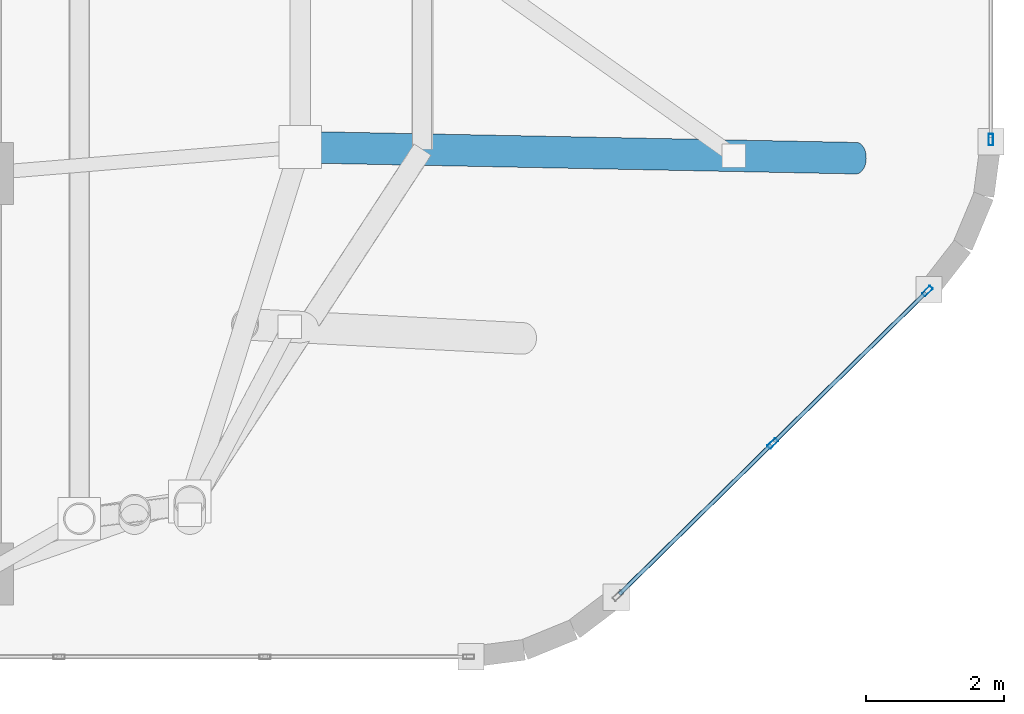
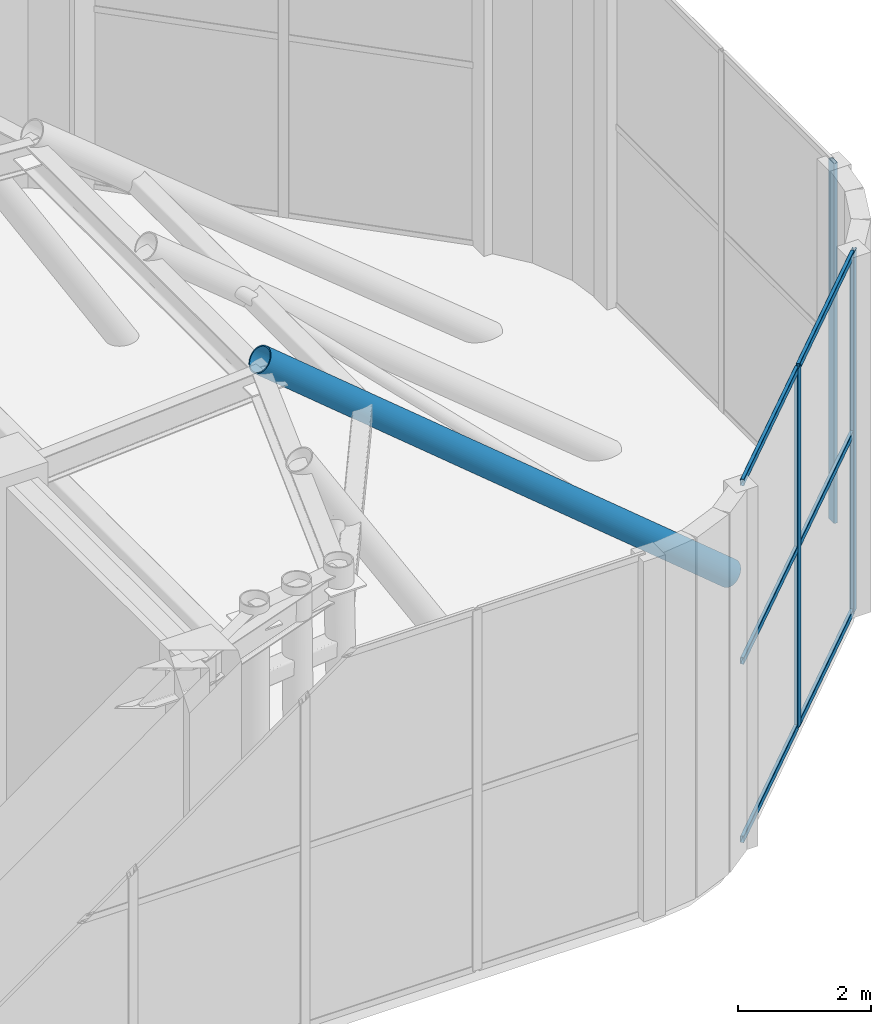
# One storey, part 9 of 19: 10 members, 2 elements without a shape of their own.
"""IFC4 building model written with IfcOpenShell, lengths in metres."""

from ifc_helpers import new_model, si_unit, direction, frame, origin, origin_2d, place, context, subcontext, project, spatial, hollow_rectangle, hollow_circle, extrude, material, layer, layer_set, material_profile, profile_set, type_object, element, aggregate, save


model = new_model("IFC4")

# Units and contexts
model_context = context("Model", 3, precision=1e-05, world=origin(), true_north=direction((0.0, 1.0)))
body_context = subcontext(model_context, "Body", "Model", "MODEL_VIEW")
ifc_project = project(units=[si_unit("LENGTHUNIT", "METRE"), si_unit("AREAUNIT", "SQUARE_METRE"), si_unit("VOLUMEUNIT", "CUBIC_METRE"), si_unit("PLANEANGLEUNIT", "RADIAN"), si_unit("MASSUNIT", "GRAM", prefix="KILO")], contexts=[model_context])

# Site, building, storey
site_placement = place(None, origin())
site = spatial("IfcSite", under=ifc_project, at=site_placement, CompositionType="ELEMENT")
building_placement = place(site_placement, origin())
building = spatial("IfcBuilding", under=site, at=building_placement, Name="An Khanh Terracotta Commons", CompositionType="ELEMENT")
storey_placement = place(building_placement, frame((0.0, 0.0, 328.800048828125)))
storey = spatial("IfcBuildingStorey", under=building, at=storey_placement, Name="L82 Crown Faceted Taper", CompositionType="ELEMENT", Elevation=328.800048828125)

# Member
ifc_material_1 = material(Name="Steel S460ML", Category="steel")
ifc_material_profile_1 = material_profile(ifc_material_1, hollow_circle(Radius=0.228515625, WallThickness=0.02001953125, at=origin_2d()), Name="CHS457x20")
ifc_profile_set_1 = profile_set([ifc_material_profile_1], Name="Steel S460ML")
member_type_1 = type_object("IfcMemberType", Name="CROWN FRAME RIB CHS457", PredefinedType="STRUT", material=ifc_profile_set_1)
member_1_placement = place(storey_placement, frame((49.85009765625, 20.419921875, -0.1201171875), z_axis=(-0.771336702565, 0.015345794343, 0.636242247789), x_axis=(-0.019891129459, -0.999802151912, 0.0)))
element("IfcMember", 1, at=member_1_placement, inside=storey, type_object=member_type_1, Name="L82 Crown Faceted Taper CROWN FRAME Corner Raking Rib 3", PredefinedType="STRUT", context=body_context, shape_type="SweptSolid", body=[
    extrude(hollow_circle(Radius=0.228515625, WallThickness=0.02001953125, at=origin_2d()), origin(), (0.0, 0.0, 1.0), 10.4365234375),
])

# Curtain wall, members
ifc_material_2 = material(Name="Anodised Aluminium 6063-T6", Category="aluminium")
ifc_layer = layer(ifc_material_2, 0.18994140625, Name="Anodised Aluminium 6063-T6")
ifc_layer_set = layer_set([ifc_layer], Name="Anodised Aluminium 6063-T6")
curtain_wall_type = type_object("IfcCurtainWallType", Name="CW-SYS-06", PredefinedType="USERDEFINED", material=ifc_layer_set)
curtain_wall_1_placement = place(storey_placement, origin())
curtain_wall_1 = element("IfcCurtainWall", 2, at=curtain_wall_1_placement, inside=storey, type_object=curtain_wall_type, Name="L82 Crown Faceted Taper CW-06 Unitised Curtain Wall CW-L82-08", ObjectType="UNITISED CURTAIN WALL", PredefinedType="USERDEFINED")
ifc_material_profile_2 = material_profile(ifc_material_2, hollow_rectangle(XDim=0.06494140625, YDim=0.1650390625, WallThickness=0.00390625, InnerFilletRadius=0.00390625, OuterFilletRadius=0.008056640625, at=origin_2d()), Name="RHS165x65x4")
ifc_profile_set_2 = profile_set([ifc_material_profile_2], Name="Anodised Aluminium 6063-T6")
member_type_2 = type_object("IfcMemberType", Name="CWM-RHS165x65x4", PredefinedType="MULLION", material=ifc_profile_set_2)
member_2_placement = place(storey_placement, frame((48.639892578125, 16.29052734375, 0.0), z_axis=(0.0, 0.0, 1.0), x_axis=(-0.701497280399, 0.712672130501, 0.0)))
member_2 = element("IfcMember", 3, at=member_2_placement, type_object=member_type_2, Name="CW-06 mullion 2", PredefinedType="MULLION", context=body_context, shape_type="SweptSolid", body=[
    extrude(hollow_rectangle(XDim=0.06494140625, YDim=0.1650390625, WallThickness=0.00390625, InnerFilletRadius=0.00390625, OuterFilletRadius=0.008056640625, at=origin_2d()), origin(), (0.0, 0.0, 1.0), 6.599853515625),
])
member_3_placement = place(storey_placement, frame((50.880859375, 18.49609375, 0.0), z_axis=(0.0, 0.0, 1.0), x_axis=(-0.701497280399, 0.712672130501, 0.0)))
member_3 = element("IfcMember", 4, at=member_3_placement, type_object=member_type_2, Name="CW-06 mullion 3", PredefinedType="MULLION", context=body_context, shape_type="SweptSolid", body=[
    extrude(hollow_rectangle(XDim=0.06494140625, YDim=0.1650390625, WallThickness=0.00390625, InnerFilletRadius=0.00390625, OuterFilletRadius=0.008056640625, at=origin_2d()), origin(), (0.0, 0.0, 1.0), 6.599853515625),
])

# Curtain wall, member
curtain_wall_2_placement = place(storey_placement, origin())
curtain_wall_2 = element("IfcCurtainWall", 5, at=curtain_wall_2_placement, inside=storey, type_object=curtain_wall_type, Name="L82 Crown Faceted Taper CW-06 Unitised Curtain Wall CW-L82-12", ObjectType="UNITISED CURTAIN WALL", PredefinedType="USERDEFINED")
member_4_placement = place(storey_placement, frame((51.800048828125, 20.689453125, 0.0), z_axis=(0.0, 0.0, 1.0), x_axis=(-1.0, 0.0, 0.0)))
member_4 = element("IfcMember", 6, at=member_4_placement, type_object=member_type_2, Name="CW-06 mullion 1", PredefinedType="MULLION", context=body_context, shape_type="SweptSolid", body=[
    extrude(hollow_rectangle(XDim=0.06494140625, YDim=0.1650390625, WallThickness=0.00390625, InnerFilletRadius=0.00390625, OuterFilletRadius=0.008056640625, at=origin_2d()), origin(), (0.0, 0.0, 1.0), 6.599853515625),
])
aggregate(curtain_wall_2, [member_4])

# Member
ifc_material_profile_3 = material_profile(ifc_material_2, hollow_rectangle(XDim=0.06005859375, YDim=0.1201171875, WallThickness=0.003662109375, InnerFilletRadius=0.003662109375, OuterFilletRadius=0.007080078125, at=origin_2d()), Name="RHS120x60x3.6")
ifc_profile_set_3 = profile_set([ifc_material_profile_3], Name="Anodised Aluminium 6063-T6")
member_type_3 = type_object("IfcMemberType", Name="CWT-RHS120x60x3.6", PredefinedType="USERDEFINED", material=ifc_profile_set_3)
member_5_placement = place(storey_placement, frame((46.42236328125, 14.107666015625, 0.030029296875), z_axis=(0.712674135083, 0.701495243878, 0.0), x_axis=(-0.701495243878, 0.712674135083, 0.0)))
member_5 = element("IfcMember", 7, at=member_5_placement, type_object=member_type_3, Name="CW-06 transom 1.1", ObjectType="TRANSOM", PredefinedType="USERDEFINED", context=body_context, shape_type="SweptSolid", body=[
    extrude(hollow_rectangle(XDim=0.06005859375, YDim=0.1201171875, WallThickness=0.003662109375, InnerFilletRadius=0.003662109375, OuterFilletRadius=0.007080078125, at=origin_2d()), origin(), (0.0, 0.0, 1.0), 3.079345703125),
])

member_6_placement = place(storey_placement, frame((46.42236328125, 14.107666015625, 3.300048828125), z_axis=(0.712674135083, 0.701495243878, 0.0), x_axis=(-0.701495243878, 0.712674135083, 0.0)))
member_6 = element("IfcMember", 8, at=member_6_placement, type_object=member_type_3, Name="CW-06 transom 1.2", ObjectType="TRANSOM", PredefinedType="USERDEFINED", context=body_context, shape_type="SweptSolid", body=[
    extrude(hollow_rectangle(XDim=0.06005859375, YDim=0.1201171875, WallThickness=0.003662109375, InnerFilletRadius=0.003662109375, OuterFilletRadius=0.007080078125, at=origin_2d()), origin(), (0.0, 0.0, 1.0), 3.079345703125),
])

member_7_placement = place(storey_placement, frame((46.42236328125, 14.107666015625, 6.570068359375), z_axis=(0.712674135083, 0.701495243878, 0.0), x_axis=(-0.701495243878, 0.712674135083, 0.0)))
member_7 = element("IfcMember", 9, at=member_7_placement, type_object=member_type_3, Name="CW-06 transom 1.3", ObjectType="TRANSOM", PredefinedType="USERDEFINED", context=body_context, shape_type="SweptSolid", body=[
    extrude(hollow_rectangle(XDim=0.06005859375, YDim=0.1201171875, WallThickness=0.003662109375, InnerFilletRadius=0.003662109375, OuterFilletRadius=0.007080078125, at=origin_2d()), origin(), (0.0, 0.0, 1.0), 3.079345703125),
])

member_8_placement = place(storey_placement, frame((48.6630859375, 16.313232421875, 0.030029296875), z_axis=(0.712674135083, 0.701495243878, 0.0), x_axis=(-0.701495243878, 0.712674135083, 0.0)))
member_8 = element("IfcMember", 10, at=member_8_placement, type_object=member_type_3, Name="CW-06 transom 2.1", ObjectType="TRANSOM", PredefinedType="USERDEFINED", context=body_context, shape_type="SweptSolid", body=[
    extrude(hollow_rectangle(XDim=0.06005859375, YDim=0.1201171875, WallThickness=0.003662109375, InnerFilletRadius=0.003662109375, OuterFilletRadius=0.007080078125, at=origin_2d()), origin(), (0.0, 0.0, 1.0), 3.079345703125),
])

member_9_placement = place(storey_placement, frame((48.6630859375, 16.313232421875, 3.300048828125), z_axis=(0.712674135083, 0.701495243878, 0.0), x_axis=(-0.701495243878, 0.712674135083, 0.0)))
member_9 = element("IfcMember", 11, at=member_9_placement, type_object=member_type_3, Name="CW-06 transom 2.2", ObjectType="TRANSOM", PredefinedType="USERDEFINED", context=body_context, shape_type="SweptSolid", body=[
    extrude(hollow_rectangle(XDim=0.06005859375, YDim=0.1201171875, WallThickness=0.003662109375, InnerFilletRadius=0.003662109375, OuterFilletRadius=0.007080078125, at=origin_2d()), origin(), (0.0, 0.0, 1.0), 3.079345703125),
])

member_10_placement = place(storey_placement, frame((48.6630859375, 16.313232421875, 6.570068359375), z_axis=(0.712674135083, 0.701495243878, 0.0), x_axis=(-0.701495243878, 0.712674135083, 0.0)))
member_10 = element("IfcMember", 12, at=member_10_placement, type_object=member_type_3, Name="CW-06 transom 2.3", ObjectType="TRANSOM", PredefinedType="USERDEFINED", context=body_context, shape_type="SweptSolid", body=[
    extrude(hollow_rectangle(XDim=0.06005859375, YDim=0.1201171875, WallThickness=0.003662109375, InnerFilletRadius=0.003662109375, OuterFilletRadius=0.007080078125, at=origin_2d()), origin(), (0.0, 0.0, 1.0), 3.079345703125),
])

aggregate(curtain_wall_1, [member_2, member_3, member_5, member_6, member_7, member_8, member_9, member_10])

save(model, "model.ifc")
